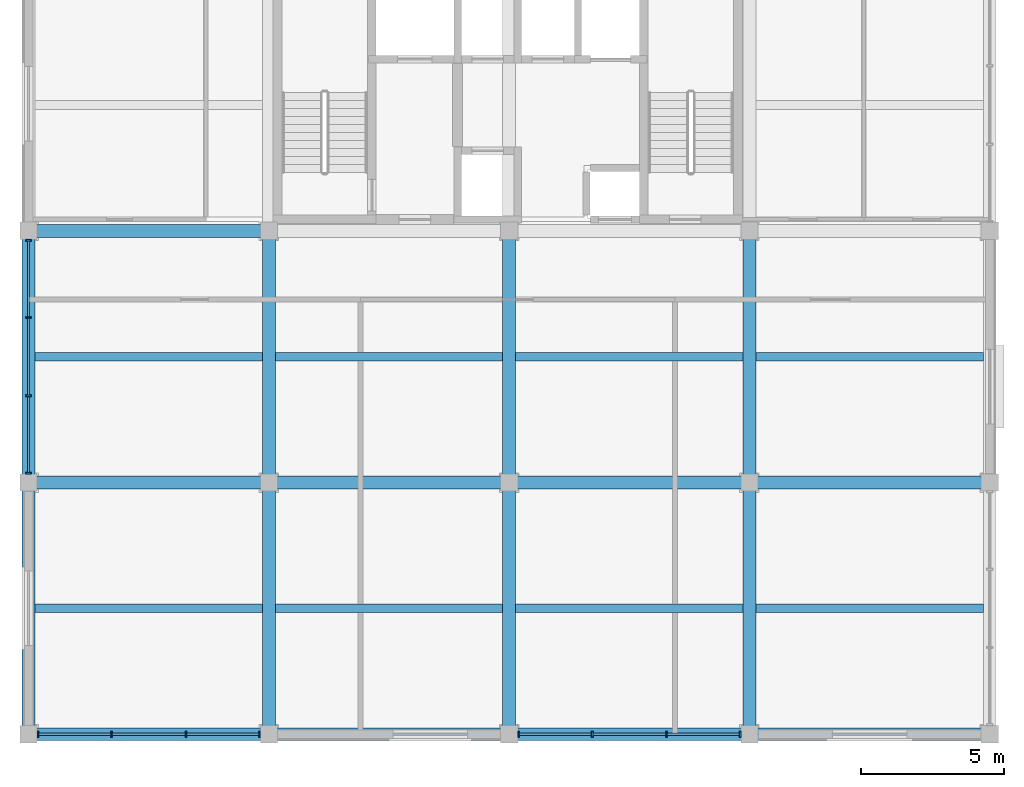
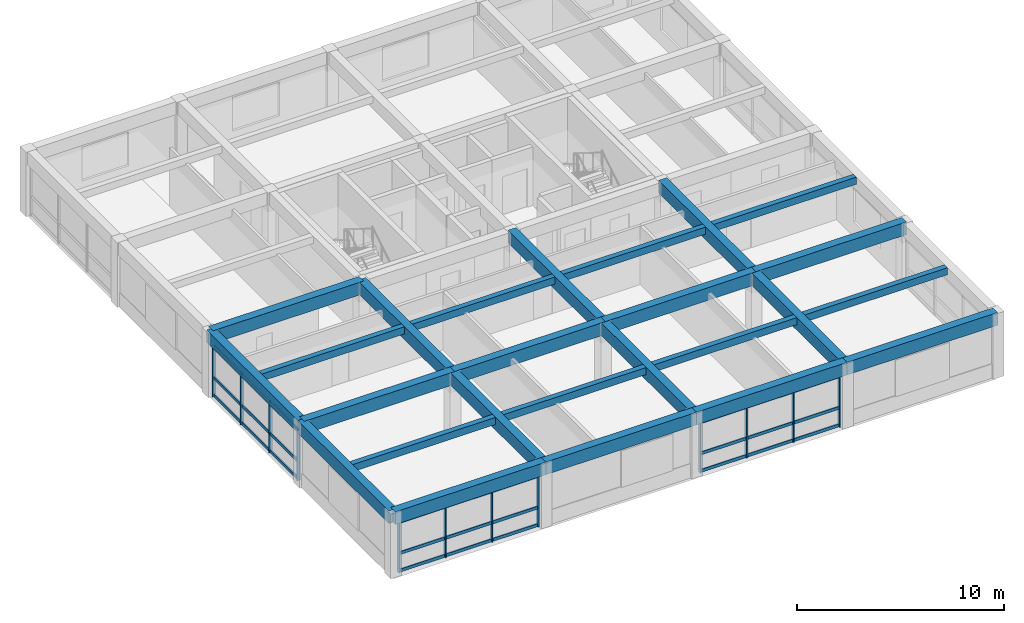
# One storey, part 2 of 12: 39 members, 25 beams, 3 elements without a shape of their own.
"""IFC4 building model written with IfcOpenShell, lengths in metres."""

from ifc_helpers import new_model, si_unit, direction, frame, origin, origin_2d, place, context, subcontext, project, spatial, rectangle, extrude, material, material_profile, profile_set, type_object, element, aggregate, save


model = new_model("IFC4")

# Units and contexts
model_context = context("Model", 3, precision=1e-05, world=origin(), true_north=direction((0.0, 1.0)))
body_context = subcontext(model_context, "Body", "Model", "MODEL_VIEW")
ifc_project = project(units=[si_unit("LENGTHUNIT", "METRE"), si_unit("AREAUNIT", "SQUARE_METRE"), si_unit("VOLUMEUNIT", "CUBIC_METRE"), si_unit("PLANEANGLEUNIT", "RADIAN"), si_unit("MASSUNIT", "GRAM", prefix="KILO")], contexts=[model_context])

# Site, building, storey
site_placement = place(None, origin())
site = spatial("IfcSite", under=ifc_project, at=site_placement, CompositionType="ELEMENT")
building_placement = place(site_placement, origin())
building = spatial("IfcBuilding", under=site, at=building_placement, Name="Kemercrest Conservatory and Botanical Centre", CompositionType="ELEMENT")
storey_placement = place(building_placement, frame((0.0, 0.0, 56.0)))
storey = spatial("IfcBuildingStorey", under=building, at=storey_placement, Name="L14", CompositionType="ELEMENT", Elevation=56.0)

# Beams
ifc_material_1 = material(Name="Concrete C40/50", Category="concrete")
ifc_material_profile_1 = material_profile(ifc_material_1, rectangle(XDim=0.449951171875, YDim=0.75, at=origin_2d()), Name="RC 450x750")
ifc_profile_set_1 = profile_set([ifc_material_profile_1], Name="Concrete C40/50")
beam_type_1 = type_object("IfcBeamType", Name="BM-RC75", PredefinedType="BEAM", material=ifc_profile_set_1)
beam_1_placement = place(storey_placement, frame((142.39990234375, 96.0, 3.425048828125), z_axis=(1.0, 0.0, 0.0), x_axis=(0.0, 1.0, 0.0)))
element("IfcBeam", 1, at=beam_1_placement, inside=storey, type_object=beam_type_1, Name="V4-L15 beam BM-RC75 L/17-18", PredefinedType="BEAM", context=body_context, shape_type="SweptSolid", body=[
    extrude(rectangle(XDim=0.449951171875, YDim=0.75, at=origin_2d()), origin(), (0.0, 0.0, 1.0), 8.400146484375),
])
beam_2_placement = place(storey_placement, frame((150.800048828125, 96.0, 3.425048828125), z_axis=(1.0, 0.0, 0.0), x_axis=(0.0, 1.0, 0.0)))
element("IfcBeam", 2, at=beam_2_placement, inside=storey, type_object=beam_type_1, Name="V4-L15 beam BM-RC75 L/18-19", PredefinedType="BEAM", context=body_context, shape_type="SweptSolid", body=[
    extrude(rectangle(XDim=0.449951171875, YDim=0.75, at=origin_2d()), origin(), (0.0, 0.0, 1.0), 8.39990234375),
])
beam_3_placement = place(storey_placement, frame((159.199951171875, 96.0, 3.425048828125), z_axis=(1.0, 0.0, 0.0), x_axis=(0.0, 1.0, 0.0)))
element("IfcBeam", 3, at=beam_3_placement, inside=storey, type_object=beam_type_1, Name="V4-L15 beam BM-RC75 L/19-20", PredefinedType="BEAM", context=body_context, shape_type="SweptSolid", body=[
    extrude(rectangle(XDim=0.449951171875, YDim=0.75, at=origin_2d()), origin(), (0.0, 0.0, 1.0), 8.400146484375),
])
beam_4_placement = place(storey_placement, frame((167.60009765625, 96.0, 3.425048828125), z_axis=(1.0, 0.0, 0.0), x_axis=(0.0, 1.0, 0.0)))
element("IfcBeam", 4, at=beam_4_placement, inside=storey, type_object=beam_type_1, Name="V4-L15 beam BM-RC75 L/20-21", PredefinedType="BEAM", context=body_context, shape_type="SweptSolid", body=[
    extrude(rectangle(XDim=0.449951171875, YDim=0.75, at=origin_2d()), origin(), (0.0, 0.0, 1.0), 8.39990234375),
])
beam_5_placement = place(storey_placement, frame((142.39990234375, 104.800048828125, 3.425048828125), z_axis=(1.0, 0.0, 0.0), x_axis=(0.0, 1.0, 0.0)))
element("IfcBeam", 5, at=beam_5_placement, inside=storey, type_object=beam_type_1, Name="V4-L15 beam BM-RC75 M/17-18", PredefinedType="BEAM", context=body_context, shape_type="SweptSolid", body=[
    extrude(rectangle(XDim=0.449951171875, YDim=0.75, at=origin_2d()), origin(), (0.0, 0.0, 1.0), 8.400146484375),
])
for number, where, z_axis, x_axis, name in (
    (6, (150.800048828125, 87.199951171875, 3.425048828125), (0.0, 1.0, 0.0), (-1.0, 0.0, 0.0), "V4-L15 beam BM-RC75 18/K-L"),
    (7, (150.800048828125, 96.0, 3.425048828125), (0.0, 1.0, 0.0), (-1.0, 0.0, 0.0), "V4-L15 beam BM-RC75 18/L-M"),
    (8, (159.199951171875, 87.199951171875, 3.425048828125), (0.0, 1.0, 0.0), (-1.0, 0.0, 0.0), "V4-L15 beam BM-RC75 19/K-L"),
    (9, (159.199951171875, 96.0, 3.425048828125), (0.0, 1.0, 0.0), (-1.0, 0.0, 0.0), "V4-L15 beam BM-RC75 19/L-M"),
    (10, (167.60009765625, 87.199951171875, 3.425048828125), (0.0, 1.0, 0.0), (-1.0, 0.0, 0.0), "V4-L15 beam BM-RC75 20/K-L"),
    (11, (167.60009765625, 96.0, 3.425048828125), (0.0, 1.0, 0.0), (-1.0, 0.0, 0.0), "V4-L15 beam BM-RC75 20/L-M"),
):
    element("IfcBeam", number, at=place(storey_placement, frame(where, z_axis=z_axis, x_axis=x_axis)), inside=storey, type_object=beam_type_1, Name=name, PredefinedType="BEAM", context=body_context, shape_type="SweptSolid", body=[
        extrude(rectangle(XDim=0.449951171875, YDim=0.75, at=origin_2d()), origin(), (0.0, 0.0, 1.0), 8.800048828125),
    ])

# Curtain wall, members
ifc_material_2 = material(Name="Thermally broken aluminium and triple low-e glazing", Category="aluminium")
curtain_wall_type_1 = type_object("IfcCurtainWallType", Name="CW-20", PredefinedType="USERDEFINED", material=ifc_material_2)
curtain_wall_1_placement = place(storey_placement, origin())
curtain_wall_1 = element("IfcCurtainWall", 12, at=curtain_wall_1_placement, inside=storey, type_object=curtain_wall_type_1, Name="Unitised curtain wall CW-20 (CW:L14:V4-139)", ObjectType="UNITISED CURTAIN WALL", PredefinedType="USERDEFINED")
ifc_material_3 = material(Name="Thermally broken anodized aluminium 6063-T6", Category="aluminium")
ifc_material_profile_2 = material_profile(ifc_material_3, rectangle(XDim=0.199951171875, YDim=0.06494140625, at=origin_2d()), Name="AL MULLION 65x200")
ifc_profile_set_2 = profile_set([ifc_material_profile_2], Name="Thermally broken anodized aluminium 6063-T6")
member_type_1 = type_object("IfcMemberType", Name="CW-M200", PredefinedType="MULLION", material=ifc_profile_set_2)
member_1_placement = place(storey_placement, frame((142.7275390625, 87.199951171875, 0.0), z_axis=(0.0, 0.0, 1.0), x_axis=(0.0, 1.0, 0.0)))
member_1 = element("IfcMember", 13, at=member_1_placement, type_object=member_type_1, Name="CW-20 mullion 1", PredefinedType="MULLION", context=body_context, shape_type="SweptSolid", body=[
    extrude(rectangle(XDim=0.199951171875, YDim=0.06494140625, at=origin_2d()), origin(), (0.0, 0.0, 1.0), 3.054931640625),
])
member_2_placement = place(storey_placement, frame((145.29833984375, 87.199951171875, 0.0), z_axis=(0.0, 0.0, 1.0), x_axis=(0.0, 1.0, 0.0)))
member_2 = element("IfcMember", 14, at=member_2_placement, type_object=member_type_1, Name="CW-20 mullion 2", PredefinedType="MULLION", context=body_context, shape_type="SweptSolid", body=[
    extrude(rectangle(XDim=0.199951171875, YDim=0.06494140625, at=origin_2d()), origin(), (0.0, 0.0, 1.0), 3.054931640625),
])
member_3_placement = place(storey_placement, frame((147.901611328125, 87.199951171875, 0.0), z_axis=(0.0, 0.0, 1.0), x_axis=(0.0, 1.0, 0.0)))
member_3 = element("IfcMember", 15, at=member_3_placement, type_object=member_type_1, Name="CW-20 mullion 3", PredefinedType="MULLION", context=body_context, shape_type="SweptSolid", body=[
    extrude(rectangle(XDim=0.199951171875, YDim=0.06494140625, at=origin_2d()), origin(), (0.0, 0.0, 1.0), 3.054931640625),
])
member_4_placement = place(storey_placement, frame((150.472412109375, 87.199951171875, 0.0), z_axis=(0.0, 0.0, 1.0), x_axis=(0.0, 1.0, 0.0)))
member_4 = element("IfcMember", 16, at=member_4_placement, type_object=member_type_1, Name="CW-20 mullion 4", PredefinedType="MULLION", context=body_context, shape_type="SweptSolid", body=[
    extrude(rectangle(XDim=0.199951171875, YDim=0.06494140625, at=origin_2d()), origin(), (0.0, 0.0, 1.0), 3.054931640625),
])

curtain_wall_type_2 = type_object("IfcCurtainWallType", Name="CW-21", PredefinedType="USERDEFINED", material=ifc_material_2)
curtain_wall_2_placement = place(storey_placement, origin())
curtain_wall_2 = element("IfcCurtainWall", 17, at=curtain_wall_2_placement, inside=storey, type_object=curtain_wall_type_2, Name="Unitised curtain wall CW-21 (CW:L14:V4-140)", ObjectType="UNITISED CURTAIN WALL", PredefinedType="USERDEFINED")
member_5_placement = place(storey_placement, frame((159.527587890625, 87.199951171875, 0.0), z_axis=(0.0, 0.0, 1.0), x_axis=(0.0, 1.0, 0.0)))
member_5 = element("IfcMember", 18, at=member_5_placement, type_object=member_type_1, Name="CW-21 mullion 1", PredefinedType="MULLION", context=body_context, shape_type="SweptSolid", body=[
    extrude(rectangle(XDim=0.199951171875, YDim=0.06494140625, at=origin_2d()), origin(), (0.0, 0.0, 1.0), 3.054931640625),
])
member_6_placement = place(storey_placement, frame((162.098388671875, 87.199951171875, 0.0), z_axis=(0.0, 0.0, 1.0), x_axis=(0.0, 1.0, 0.0)))
member_6 = element("IfcMember", 19, at=member_6_placement, type_object=member_type_1, Name="CW-21 mullion 2", PredefinedType="MULLION", context=body_context, shape_type="SweptSolid", body=[
    extrude(rectangle(XDim=0.199951171875, YDim=0.06494140625, at=origin_2d()), origin(), (0.0, 0.0, 1.0), 3.054931640625),
])
member_7_placement = place(storey_placement, frame((164.70166015625, 87.199951171875, 0.0), z_axis=(0.0, 0.0, 1.0), x_axis=(0.0, 1.0, 0.0)))
member_7 = element("IfcMember", 20, at=member_7_placement, type_object=member_type_1, Name="CW-21 mullion 3", PredefinedType="MULLION", context=body_context, shape_type="SweptSolid", body=[
    extrude(rectangle(XDim=0.199951171875, YDim=0.06494140625, at=origin_2d()), origin(), (0.0, 0.0, 1.0), 3.054931640625),
])
member_8_placement = place(storey_placement, frame((167.2724609375, 87.199951171875, 0.0), z_axis=(0.0, 0.0, 1.0), x_axis=(0.0, 1.0, 0.0)))
member_8 = element("IfcMember", 21, at=member_8_placement, type_object=member_type_1, Name="CW-21 mullion 4", PredefinedType="MULLION", context=body_context, shape_type="SweptSolid", body=[
    extrude(rectangle(XDim=0.199951171875, YDim=0.06494140625, at=origin_2d()), origin(), (0.0, 0.0, 1.0), 3.054931640625),
])

curtain_wall_type_3 = type_object("IfcCurtainWallType", Name="CW-25", PredefinedType="USERDEFINED", material=ifc_material_2)
curtain_wall_3_placement = place(storey_placement, origin())
curtain_wall_3 = element("IfcCurtainWall", 22, at=curtain_wall_3_placement, inside=storey, type_object=curtain_wall_type_3, Name="Unitised curtain wall CW-25 (CW:L14:V4-144)", ObjectType="UNITISED CURTAIN WALL", PredefinedType="USERDEFINED")
member_9_placement = place(storey_placement, frame((142.39990234375, 104.472412109375, 0.0), z_axis=(0.0, 0.0, 1.0), x_axis=(1.0, 0.0, 0.0)))
member_9 = element("IfcMember", 23, at=member_9_placement, type_object=member_type_1, Name="CW-25 mullion 1", PredefinedType="MULLION", context=body_context, shape_type="SweptSolid", body=[
    extrude(rectangle(XDim=0.199951171875, YDim=0.06494140625, at=origin_2d()), origin(), (0.0, 0.0, 1.0), 3.054931640625),
])
member_10_placement = place(storey_placement, frame((142.39990234375, 101.768310546875, 0.0), z_axis=(0.0, 0.0, 1.0), x_axis=(1.0, 0.0, 0.0)))
member_10 = element("IfcMember", 24, at=member_10_placement, type_object=member_type_1, Name="CW-25 mullion 2", PredefinedType="MULLION", context=body_context, shape_type="SweptSolid", body=[
    extrude(rectangle(XDim=0.199951171875, YDim=0.06494140625, at=origin_2d()), origin(), (0.0, 0.0, 1.0), 3.054931640625),
])
member_11_placement = place(storey_placement, frame((142.39990234375, 99.03173828125, 0.0), z_axis=(0.0, 0.0, 1.0), x_axis=(1.0, 0.0, 0.0)))
member_11 = element("IfcMember", 25, at=member_11_placement, type_object=member_type_1, Name="CW-25 mullion 3", PredefinedType="MULLION", context=body_context, shape_type="SweptSolid", body=[
    extrude(rectangle(XDim=0.199951171875, YDim=0.06494140625, at=origin_2d()), origin(), (0.0, 0.0, 1.0), 3.054931640625),
])
member_12_placement = place(storey_placement, frame((142.39990234375, 96.327392578125, 0.0), z_axis=(0.0, 0.0, 1.0), x_axis=(1.0, 0.0, 0.0)))
member_12 = element("IfcMember", 26, at=member_12_placement, type_object=member_type_1, Name="CW-25 mullion 4", PredefinedType="MULLION", context=body_context, shape_type="SweptSolid", body=[
    extrude(rectangle(XDim=0.199951171875, YDim=0.06494140625, at=origin_2d()), origin(), (0.0, 0.0, 1.0), 3.054931640625),
])

# Member
ifc_material_profile_3 = material_profile(ifc_material_3, rectangle(XDim=0.074951171875, YDim=0.179931640625, at=origin_2d()), Name="AL TRANSOM 75x180")
ifc_profile_set_3 = profile_set([ifc_material_profile_3], Name="Thermally broken anodized aluminium 6063-T6")
member_type_2 = type_object("IfcMemberType", Name="CW-T180", PredefinedType="USERDEFINED", material=ifc_profile_set_3)
member_13_placement = place(storey_placement, frame((142.760009765625, 87.199951171875, 0.090087890625), z_axis=(1.0, 0.0, 0.0), x_axis=(0.0, 1.0, 0.0)))
member_13 = element("IfcMember", 27, at=member_13_placement, type_object=member_type_2, Name="CW-20 transom 1.1", ObjectType="TRANSOM", PredefinedType="USERDEFINED", context=body_context, shape_type="SweptSolid", body=[
    extrude(rectangle(XDim=0.074951171875, YDim=0.179931640625, at=origin_2d()), origin(), (0.0, 0.0, 1.0), 2.505859375),
])

member_14_placement = place(storey_placement, frame((142.760009765625, 87.199951171875, 1.1201171875), z_axis=(1.0, 0.0, 0.0), x_axis=(0.0, 1.0, 0.0)))
member_14 = element("IfcMember", 28, at=member_14_placement, type_object=member_type_2, Name="CW-20 transom 1.2", ObjectType="TRANSOM", PredefinedType="USERDEFINED", context=body_context, shape_type="SweptSolid", body=[
    extrude(rectangle(XDim=0.074951171875, YDim=0.179931640625, at=origin_2d()), origin(), (0.0, 0.0, 1.0), 2.505859375),
])

member_15_placement = place(storey_placement, frame((142.760009765625, 87.199951171875, 2.965087890625), z_axis=(1.0, 0.0, 0.0), x_axis=(0.0, 1.0, 0.0)))
member_15 = element("IfcMember", 29, at=member_15_placement, type_object=member_type_2, Name="CW-20 transom 1.3", ObjectType="TRANSOM", PredefinedType="USERDEFINED", context=body_context, shape_type="SweptSolid", body=[
    extrude(rectangle(XDim=0.074951171875, YDim=0.179931640625, at=origin_2d()), origin(), (0.0, 0.0, 1.0), 2.505859375),
])

member_16_placement = place(storey_placement, frame((145.330810546875, 87.199951171875, 0.090087890625), z_axis=(1.0, 0.0, 0.0), x_axis=(0.0, 1.0, 0.0)))
member_16 = element("IfcMember", 30, at=member_16_placement, type_object=member_type_2, Name="CW-20 transom 2.1", ObjectType="TRANSOM", PredefinedType="USERDEFINED", context=body_context, shape_type="SweptSolid", body=[
    extrude(rectangle(XDim=0.074951171875, YDim=0.179931640625, at=origin_2d()), origin(), (0.0, 0.0, 1.0), 2.538330078125),
])

member_17_placement = place(storey_placement, frame((145.330810546875, 87.199951171875, 1.1201171875), z_axis=(1.0, 0.0, 0.0), x_axis=(0.0, 1.0, 0.0)))
member_17 = element("IfcMember", 31, at=member_17_placement, type_object=member_type_2, Name="CW-20 transom 2.2", ObjectType="TRANSOM", PredefinedType="USERDEFINED", context=body_context, shape_type="SweptSolid", body=[
    extrude(rectangle(XDim=0.074951171875, YDim=0.179931640625, at=origin_2d()), origin(), (0.0, 0.0, 1.0), 2.538330078125),
])

member_18_placement = place(storey_placement, frame((145.330810546875, 87.199951171875, 2.965087890625), z_axis=(1.0, 0.0, 0.0), x_axis=(0.0, 1.0, 0.0)))
member_18 = element("IfcMember", 32, at=member_18_placement, type_object=member_type_2, Name="CW-20 transom 2.3", ObjectType="TRANSOM", PredefinedType="USERDEFINED", context=body_context, shape_type="SweptSolid", body=[
    extrude(rectangle(XDim=0.074951171875, YDim=0.179931640625, at=origin_2d()), origin(), (0.0, 0.0, 1.0), 2.538330078125),
])

member_19_placement = place(storey_placement, frame((147.93408203125, 87.199951171875, 0.090087890625), z_axis=(1.0, 0.0, 0.0), x_axis=(0.0, 1.0, 0.0)))
member_19 = element("IfcMember", 33, at=member_19_placement, type_object=member_type_2, Name="CW-20 transom 3.1", ObjectType="TRANSOM", PredefinedType="USERDEFINED", context=body_context, shape_type="SweptSolid", body=[
    extrude(rectangle(XDim=0.074951171875, YDim=0.179931640625, at=origin_2d()), origin(), (0.0, 0.0, 1.0), 2.505859375),
])

member_20_placement = place(storey_placement, frame((147.93408203125, 87.199951171875, 1.1201171875), z_axis=(1.0, 0.0, 0.0), x_axis=(0.0, 1.0, 0.0)))
member_20 = element("IfcMember", 34, at=member_20_placement, type_object=member_type_2, Name="CW-20 transom 3.2", ObjectType="TRANSOM", PredefinedType="USERDEFINED", context=body_context, shape_type="SweptSolid", body=[
    extrude(rectangle(XDim=0.074951171875, YDim=0.179931640625, at=origin_2d()), origin(), (0.0, 0.0, 1.0), 2.505859375),
])

member_21_placement = place(storey_placement, frame((147.93408203125, 87.199951171875, 2.965087890625), z_axis=(1.0, 0.0, 0.0), x_axis=(0.0, 1.0, 0.0)))
member_21 = element("IfcMember", 35, at=member_21_placement, type_object=member_type_2, Name="CW-20 transom 3.3", ObjectType="TRANSOM", PredefinedType="USERDEFINED", context=body_context, shape_type="SweptSolid", body=[
    extrude(rectangle(XDim=0.074951171875, YDim=0.179931640625, at=origin_2d()), origin(), (0.0, 0.0, 1.0), 2.505859375),
])

aggregate(curtain_wall_1, [member_1, member_2, member_3, member_4, member_13, member_14, member_15, member_16, member_17, member_18, member_19, member_20, member_21])

member_22_placement = place(storey_placement, frame((159.56005859375, 87.199951171875, 0.090087890625), z_axis=(1.0, 0.0, 0.0), x_axis=(0.0, 1.0, 0.0)))
member_22 = element("IfcMember", 36, at=member_22_placement, type_object=member_type_2, Name="CW-21 transom 1.1", ObjectType="TRANSOM", PredefinedType="USERDEFINED", context=body_context, shape_type="SweptSolid", body=[
    extrude(rectangle(XDim=0.074951171875, YDim=0.179931640625, at=origin_2d()), origin(), (0.0, 0.0, 1.0), 2.505859375),
])

member_23_placement = place(storey_placement, frame((159.56005859375, 87.199951171875, 1.1201171875), z_axis=(1.0, 0.0, 0.0), x_axis=(0.0, 1.0, 0.0)))
member_23 = element("IfcMember", 37, at=member_23_placement, type_object=member_type_2, Name="CW-21 transom 1.2", ObjectType="TRANSOM", PredefinedType="USERDEFINED", context=body_context, shape_type="SweptSolid", body=[
    extrude(rectangle(XDim=0.074951171875, YDim=0.179931640625, at=origin_2d()), origin(), (0.0, 0.0, 1.0), 2.505859375),
])

member_24_placement = place(storey_placement, frame((159.56005859375, 87.199951171875, 2.965087890625), z_axis=(1.0, 0.0, 0.0), x_axis=(0.0, 1.0, 0.0)))
member_24 = element("IfcMember", 38, at=member_24_placement, type_object=member_type_2, Name="CW-21 transom 1.3", ObjectType="TRANSOM", PredefinedType="USERDEFINED", context=body_context, shape_type="SweptSolid", body=[
    extrude(rectangle(XDim=0.074951171875, YDim=0.179931640625, at=origin_2d()), origin(), (0.0, 0.0, 1.0), 2.505859375),
])

member_25_placement = place(storey_placement, frame((162.130859375, 87.199951171875, 0.090087890625), z_axis=(1.0, 0.0, 0.0), x_axis=(0.0, 1.0, 0.0)))
member_25 = element("IfcMember", 39, at=member_25_placement, type_object=member_type_2, Name="CW-21 transom 2.1", ObjectType="TRANSOM", PredefinedType="USERDEFINED", context=body_context, shape_type="SweptSolid", body=[
    extrude(rectangle(XDim=0.074951171875, YDim=0.179931640625, at=origin_2d()), origin(), (0.0, 0.0, 1.0), 2.538330078125),
])

member_26_placement = place(storey_placement, frame((162.130859375, 87.199951171875, 1.1201171875), z_axis=(1.0, 0.0, 0.0), x_axis=(0.0, 1.0, 0.0)))
member_26 = element("IfcMember", 40, at=member_26_placement, type_object=member_type_2, Name="CW-21 transom 2.2", ObjectType="TRANSOM", PredefinedType="USERDEFINED", context=body_context, shape_type="SweptSolid", body=[
    extrude(rectangle(XDim=0.074951171875, YDim=0.179931640625, at=origin_2d()), origin(), (0.0, 0.0, 1.0), 2.538330078125),
])

member_27_placement = place(storey_placement, frame((162.130859375, 87.199951171875, 2.965087890625), z_axis=(1.0, 0.0, 0.0), x_axis=(0.0, 1.0, 0.0)))
member_27 = element("IfcMember", 41, at=member_27_placement, type_object=member_type_2, Name="CW-21 transom 2.3", ObjectType="TRANSOM", PredefinedType="USERDEFINED", context=body_context, shape_type="SweptSolid", body=[
    extrude(rectangle(XDim=0.074951171875, YDim=0.179931640625, at=origin_2d()), origin(), (0.0, 0.0, 1.0), 2.538330078125),
])

member_28_placement = place(storey_placement, frame((164.734130859375, 87.199951171875, 0.090087890625), z_axis=(1.0, 0.0, 0.0), x_axis=(0.0, 1.0, 0.0)))
member_28 = element("IfcMember", 42, at=member_28_placement, type_object=member_type_2, Name="CW-21 transom 3.1", ObjectType="TRANSOM", PredefinedType="USERDEFINED", context=body_context, shape_type="SweptSolid", body=[
    extrude(rectangle(XDim=0.074951171875, YDim=0.179931640625, at=origin_2d()), origin(), (0.0, 0.0, 1.0), 2.505859375),
])

member_29_placement = place(storey_placement, frame((164.734130859375, 87.199951171875, 1.1201171875), z_axis=(1.0, 0.0, 0.0), x_axis=(0.0, 1.0, 0.0)))
member_29 = element("IfcMember", 43, at=member_29_placement, type_object=member_type_2, Name="CW-21 transom 3.2", ObjectType="TRANSOM", PredefinedType="USERDEFINED", context=body_context, shape_type="SweptSolid", body=[
    extrude(rectangle(XDim=0.074951171875, YDim=0.179931640625, at=origin_2d()), origin(), (0.0, 0.0, 1.0), 2.505859375),
])

member_30_placement = place(storey_placement, frame((164.734130859375, 87.199951171875, 2.965087890625), z_axis=(1.0, 0.0, 0.0), x_axis=(0.0, 1.0, 0.0)))
member_30 = element("IfcMember", 44, at=member_30_placement, type_object=member_type_2, Name="CW-21 transom 3.3", ObjectType="TRANSOM", PredefinedType="USERDEFINED", context=body_context, shape_type="SweptSolid", body=[
    extrude(rectangle(XDim=0.074951171875, YDim=0.179931640625, at=origin_2d()), origin(), (0.0, 0.0, 1.0), 2.505859375),
])

aggregate(curtain_wall_2, [member_5, member_6, member_7, member_8, member_22, member_23, member_24, member_25, member_26, member_27, member_28, member_29, member_30])

member_31_placement = place(storey_placement, frame((142.39990234375, 104.43994140625, 0.090087890625), z_axis=(0.0, -1.0, 0.0), x_axis=(1.0, 0.0, 0.0)))
member_31 = element("IfcMember", 45, at=member_31_placement, type_object=member_type_2, Name="CW-25 transom 1.1", ObjectType="TRANSOM", PredefinedType="USERDEFINED", context=body_context, shape_type="SweptSolid", body=[
    extrude(rectangle(XDim=0.074951171875, YDim=0.179931640625, at=origin_2d()), origin(), (0.0, 0.0, 1.0), 2.63916015625),
])

member_32_placement = place(storey_placement, frame((142.39990234375, 104.43994140625, 1.1201171875), z_axis=(0.0, -1.0, 0.0), x_axis=(1.0, 0.0, 0.0)))
member_32 = element("IfcMember", 46, at=member_32_placement, type_object=member_type_2, Name="CW-25 transom 1.2", ObjectType="TRANSOM", PredefinedType="USERDEFINED", context=body_context, shape_type="SweptSolid", body=[
    extrude(rectangle(XDim=0.074951171875, YDim=0.179931640625, at=origin_2d()), origin(), (0.0, 0.0, 1.0), 2.63916015625),
])

member_33_placement = place(storey_placement, frame((142.39990234375, 104.43994140625, 2.965087890625), z_axis=(0.0, -1.0, 0.0), x_axis=(1.0, 0.0, 0.0)))
member_33 = element("IfcMember", 47, at=member_33_placement, type_object=member_type_2, Name="CW-25 transom 1.3", ObjectType="TRANSOM", PredefinedType="USERDEFINED", context=body_context, shape_type="SweptSolid", body=[
    extrude(rectangle(XDim=0.074951171875, YDim=0.179931640625, at=origin_2d()), origin(), (0.0, 0.0, 1.0), 2.63916015625),
])

member_34_placement = place(storey_placement, frame((142.39990234375, 101.73583984375, 0.090087890625), z_axis=(0.0, -1.0, 0.0), x_axis=(1.0, 0.0, 0.0)))
member_34 = element("IfcMember", 48, at=member_34_placement, type_object=member_type_2, Name="CW-25 transom 2.1", ObjectType="TRANSOM", PredefinedType="USERDEFINED", context=body_context, shape_type="SweptSolid", body=[
    extrude(rectangle(XDim=0.074951171875, YDim=0.179931640625, at=origin_2d()), origin(), (0.0, 0.0, 1.0), 2.671630859375),
])

member_35_placement = place(storey_placement, frame((142.39990234375, 101.73583984375, 1.1201171875), z_axis=(0.0, -1.0, 0.0), x_axis=(1.0, 0.0, 0.0)))
member_35 = element("IfcMember", 49, at=member_35_placement, type_object=member_type_2, Name="CW-25 transom 2.2", ObjectType="TRANSOM", PredefinedType="USERDEFINED", context=body_context, shape_type="SweptSolid", body=[
    extrude(rectangle(XDim=0.074951171875, YDim=0.179931640625, at=origin_2d()), origin(), (0.0, 0.0, 1.0), 2.671630859375),
])

member_36_placement = place(storey_placement, frame((142.39990234375, 101.73583984375, 2.965087890625), z_axis=(0.0, -1.0, 0.0), x_axis=(1.0, 0.0, 0.0)))
member_36 = element("IfcMember", 50, at=member_36_placement, type_object=member_type_2, Name="CW-25 transom 2.3", ObjectType="TRANSOM", PredefinedType="USERDEFINED", context=body_context, shape_type="SweptSolid", body=[
    extrude(rectangle(XDim=0.074951171875, YDim=0.179931640625, at=origin_2d()), origin(), (0.0, 0.0, 1.0), 2.671630859375),
])

member_37_placement = place(storey_placement, frame((142.39990234375, 98.999267578125, 0.090087890625), z_axis=(0.0, -1.0, 0.0), x_axis=(1.0, 0.0, 0.0)))
member_37 = element("IfcMember", 51, at=member_37_placement, type_object=member_type_2, Name="CW-25 transom 3.1", ObjectType="TRANSOM", PredefinedType="USERDEFINED", context=body_context, shape_type="SweptSolid", body=[
    extrude(rectangle(XDim=0.074951171875, YDim=0.179931640625, at=origin_2d()), origin(), (0.0, 0.0, 1.0), 2.63916015625),
])

member_38_placement = place(storey_placement, frame((142.39990234375, 98.999267578125, 1.1201171875), z_axis=(0.0, -1.0, 0.0), x_axis=(1.0, 0.0, 0.0)))
member_38 = element("IfcMember", 52, at=member_38_placement, type_object=member_type_2, Name="CW-25 transom 3.2", ObjectType="TRANSOM", PredefinedType="USERDEFINED", context=body_context, shape_type="SweptSolid", body=[
    extrude(rectangle(XDim=0.074951171875, YDim=0.179931640625, at=origin_2d()), origin(), (0.0, 0.0, 1.0), 2.63916015625),
])

member_39_placement = place(storey_placement, frame((142.39990234375, 98.999267578125, 2.965087890625), z_axis=(0.0, -1.0, 0.0), x_axis=(1.0, 0.0, 0.0)))
member_39 = element("IfcMember", 53, at=member_39_placement, type_object=member_type_2, Name="CW-25 transom 3.3", ObjectType="TRANSOM", PredefinedType="USERDEFINED", context=body_context, shape_type="SweptSolid", body=[
    extrude(rectangle(XDim=0.074951171875, YDim=0.179931640625, at=origin_2d()), origin(), (0.0, 0.0, 1.0), 2.63916015625),
])

aggregate(curtain_wall_3, [member_9, member_10, member_11, member_12, member_31, member_32, member_33, member_34, member_35, member_36, member_37, member_38, member_39])

# Beams
ifc_material_profile_4 = material_profile(ifc_material_1, rectangle(XDim=0.300048828125, YDim=0.419921875, at=origin_2d()), Name="RC 300x420")
ifc_profile_set_4 = profile_set([ifc_material_profile_4], Name="Concrete C40/50")
beam_type_2 = type_object("IfcBeamType", Name="JS-RC42", PredefinedType="JOIST", material=ifc_profile_set_4)
beam_6_placement = place(storey_placement, frame((142.625, 91.60009765625, 3.590087890625), z_axis=(1.0, 0.0, 0.0), x_axis=(0.0, 1.0, 0.0)))
element("IfcBeam", 54, at=beam_6_placement, inside=storey, type_object=beam_type_2, Name="V4-L15 secondary joist JS-RC42", PredefinedType="JOIST", context=body_context, shape_type="SweptSolid", body=[
    extrude(rectangle(XDim=0.300048828125, YDim=0.419921875, at=origin_2d()), origin(), (0.0, 0.0, 1.0), 7.949951171875),
])
beam_7_placement = place(storey_placement, frame((151.02490234375, 91.60009765625, 3.590087890625), z_axis=(1.0, 0.0, 0.0), x_axis=(0.0, 1.0, 0.0)))
element("IfcBeam", 55, at=beam_7_placement, inside=storey, type_object=beam_type_2, Name="V4-L15 secondary joist JS-RC42", PredefinedType="JOIST", context=body_context, shape_type="SweptSolid", body=[
    extrude(rectangle(XDim=0.300048828125, YDim=0.419921875, at=origin_2d()), origin(), (0.0, 0.0, 1.0), 7.9501953125),
])
for number, where, z_axis, x_axis, name in (
    (56, (159.425048828125, 91.60009765625, 3.590087890625), (1.0, 0.0, 0.0), (0.0, 1.0, 0.0), "V4-L15 secondary joist JS-RC42"),
    (57, (167.824951171875, 91.60009765625, 3.590087890625), (1.0, 0.0, 0.0), (0.0, 1.0, 0.0), "V4-L15 secondary joist JS-RC42"),
    (58, (142.625, 100.39990234375, 3.590087890625), (1.0, 0.0, 0.0), (0.0, 1.0, 0.0), "V4-L15 secondary joist JS-RC42"),
):
    element("IfcBeam", number, at=place(storey_placement, frame(where, z_axis=z_axis, x_axis=x_axis)), inside=storey, type_object=beam_type_2, Name=name, PredefinedType="JOIST", context=body_context, shape_type="SweptSolid", body=[
        extrude(rectangle(XDim=0.300048828125, YDim=0.419921875, at=origin_2d()), origin(), (0.0, 0.0, 1.0), 7.949951171875),
    ])
beam_8_placement = place(storey_placement, frame((151.02490234375, 100.39990234375, 3.590087890625), z_axis=(1.0, 0.0, 0.0), x_axis=(0.0, 1.0, 0.0)))
element("IfcBeam", 59, at=beam_8_placement, inside=storey, type_object=beam_type_2, Name="V4-L15 secondary joist JS-RC42", PredefinedType="JOIST", context=body_context, shape_type="SweptSolid", body=[
    extrude(rectangle(XDim=0.300048828125, YDim=0.419921875, at=origin_2d()), origin(), (0.0, 0.0, 1.0), 7.9501953125),
])
for number, where, z_axis, x_axis, name in (
    (60, (159.425048828125, 100.39990234375, 3.590087890625), (1.0, 0.0, 0.0), (0.0, 1.0, 0.0), "V4-L15 secondary joist JS-RC42"),
    (61, (167.824951171875, 100.39990234375, 3.590087890625), (1.0, 0.0, 0.0), (0.0, 1.0, 0.0), "V4-L15 secondary joist JS-RC42"),
):
    element("IfcBeam", number, at=place(storey_placement, frame(where, z_axis=z_axis, x_axis=x_axis)), inside=storey, type_object=beam_type_2, Name=name, PredefinedType="JOIST", context=body_context, shape_type="SweptSolid", body=[
        extrude(rectangle(XDim=0.300048828125, YDim=0.419921875, at=origin_2d()), origin(), (0.0, 0.0, 1.0), 7.949951171875),
    ])
ifc_material_profile_5 = material_profile(ifc_material_1, rectangle(XDim=0.449951171875, YDim=0.75, at=origin_2d()), Name="RC 450x750")
ifc_profile_set_5 = profile_set([ifc_material_profile_5], Name="Concrete C40/50")
beam_type_3 = type_object("IfcBeamType", Name="SP-RC75", PredefinedType="SPANDREL", material=ifc_profile_set_5)
beam_9_placement = place(storey_placement, frame((142.39990234375, 87.199951171875, 3.425048828125), z_axis=(1.0, 0.0, 0.0), x_axis=(0.0, 1.0, 0.0)))
element("IfcBeam", 62, at=beam_9_placement, inside=storey, type_object=beam_type_3, Name="V4-L15 beam SP-RC75 K/17-18", PredefinedType="SPANDREL", context=body_context, shape_type="SweptSolid", body=[
    extrude(rectangle(XDim=0.449951171875, YDim=0.75, at=origin_2d()), origin(), (0.0, 0.0, 1.0), 8.400146484375),
])
beam_10_placement = place(storey_placement, frame((150.800048828125, 87.199951171875, 3.425048828125), z_axis=(1.0, 0.0, 0.0), x_axis=(0.0, 1.0, 0.0)))
element("IfcBeam", 63, at=beam_10_placement, inside=storey, type_object=beam_type_3, Name="V4-L15 beam SP-RC75 K/18-19", PredefinedType="SPANDREL", context=body_context, shape_type="SweptSolid", body=[
    extrude(rectangle(XDim=0.449951171875, YDim=0.75, at=origin_2d()), origin(), (0.0, 0.0, 1.0), 8.39990234375),
])
beam_11_placement = place(storey_placement, frame((159.199951171875, 87.199951171875, 3.425048828125), z_axis=(1.0, 0.0, 0.0), x_axis=(0.0, 1.0, 0.0)))
element("IfcBeam", 64, at=beam_11_placement, inside=storey, type_object=beam_type_3, Name="V4-L15 beam SP-RC75 K/19-20", PredefinedType="SPANDREL", context=body_context, shape_type="SweptSolid", body=[
    extrude(rectangle(XDim=0.449951171875, YDim=0.75, at=origin_2d()), origin(), (0.0, 0.0, 1.0), 8.400146484375),
])
beam_12_placement = place(storey_placement, frame((167.60009765625, 87.199951171875, 3.425048828125), z_axis=(1.0, 0.0, 0.0), x_axis=(0.0, 1.0, 0.0)))
element("IfcBeam", 65, at=beam_12_placement, inside=storey, type_object=beam_type_3, Name="V4-L15 beam SP-RC75 K/20-21", PredefinedType="SPANDREL", context=body_context, shape_type="SweptSolid", body=[
    extrude(rectangle(XDim=0.449951171875, YDim=0.75, at=origin_2d()), origin(), (0.0, 0.0, 1.0), 8.39990234375),
])
for number, where, z_axis, x_axis, name in (
    (66, (142.39990234375, 87.199951171875, 3.425048828125), (0.0, 1.0, 0.0), (-1.0, 0.0, 0.0), "V4-L15 beam SP-RC75 17/K-L"),
    (67, (142.39990234375, 96.0, 3.425048828125), (0.0, 1.0, 0.0), (-1.0, 0.0, 0.0), "V4-L15 beam SP-RC75 17/L-M"),
):
    element("IfcBeam", number, at=place(storey_placement, frame(where, z_axis=z_axis, x_axis=x_axis)), inside=storey, type_object=beam_type_3, Name=name, PredefinedType="SPANDREL", context=body_context, shape_type="SweptSolid", body=[
        extrude(rectangle(XDim=0.449951171875, YDim=0.75, at=origin_2d()), origin(), (0.0, 0.0, 1.0), 8.800048828125),
    ])

save(model, "model.ifc")
